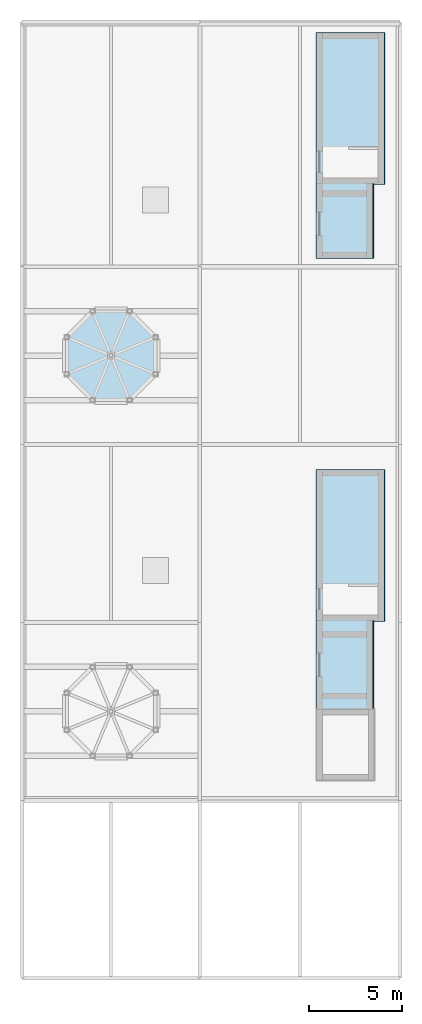
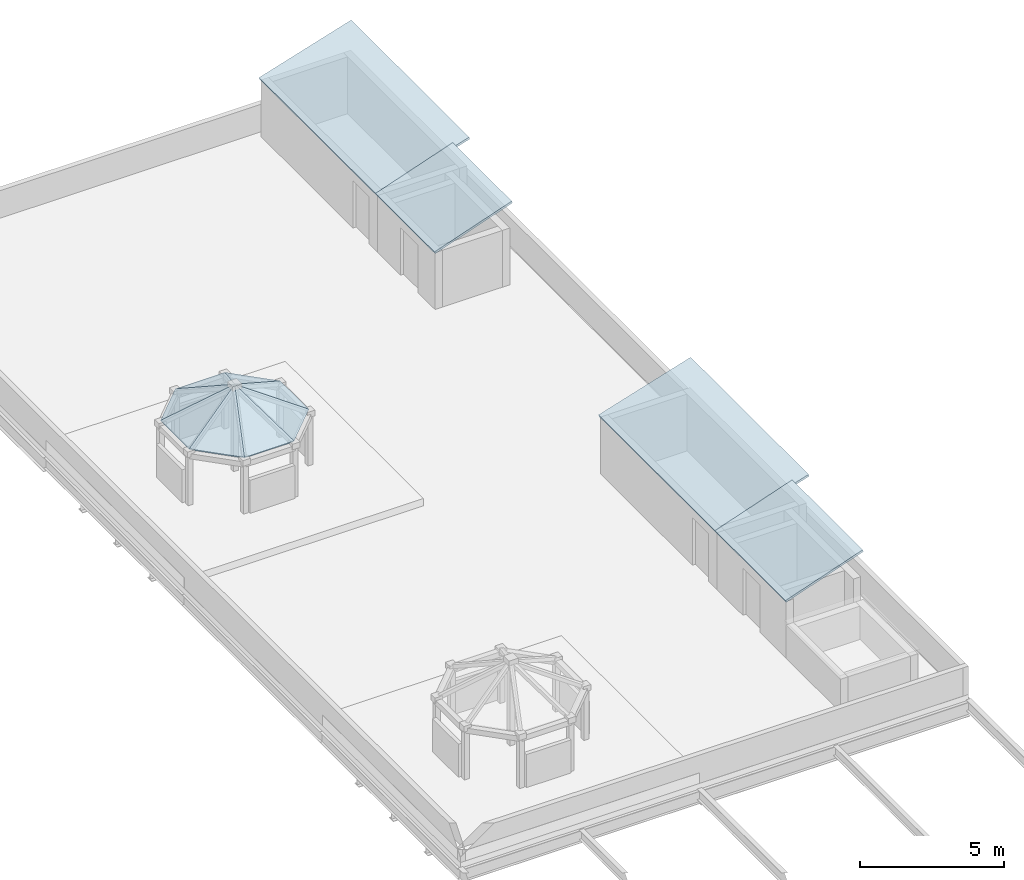
# One storey, part 4 of 5: 12 roofs.
"""IFC4 building model written with IfcOpenShell, lengths in metres."""

from ifc_helpers import new_model, si_unit, direction, frame, origin, place, context, subcontext, project, spatial, polyline, outline, extrude, material, layer, layer_set, type_object, element, save


model = new_model("IFC4")

# Units and contexts
model_context = context("Model", 3, precision=1e-05, world=origin(), true_north=direction((0.0, 1.0)))
body_context = subcontext(model_context, "Body", "Model", "MODEL_VIEW")
ifc_project = project(units=[si_unit("LENGTHUNIT", "METRE"), si_unit("AREAUNIT", "SQUARE_METRE"), si_unit("VOLUMEUNIT", "CUBIC_METRE"), si_unit("PLANEANGLEUNIT", "RADIAN"), si_unit("MASSUNIT", "GRAM", prefix="KILO")], contexts=[model_context])

# Site, building, storey
site_placement = place(None, origin())
site = spatial("IfcSite", under=ifc_project, at=site_placement, CompositionType="ELEMENT")
building_placement = place(site_placement, origin())
building = spatial("IfcBuilding", under=site, at=building_placement, Name="Almandine Court Research Institute", CompositionType="ELEMENT")
storey_placement = place(building_placement, frame((0.0, 0.0, 46.199951171875)))
storey = spatial("IfcBuildingStorey", under=building, at=storey_placement, Name="RF", CompositionType="ELEMENT", Elevation=46.199951171875)

# Roofs
ifc_material_1 = material(Name="Extruded Ochre Terracotta Faceted Lantern Cap", Category="masonry")
ifc_layer_1 = layer(ifc_material_1, 0.074951171875)
ifc_layer_set_1 = layer_set([ifc_layer_1], Name="Extruded Ochre Terracotta Faceted Lantern Cap")
roof_type_1 = type_object("IfcRoofType", Name="Roof-CH-Facet", PredefinedType="PAVILION_ROOF", material=ifc_layer_set_1)
roof_1_placement = place(storey_placement, frame((160.802001953125, 40.594970703125, 2.77001953125), z_axis=(0.336573525288, 0.336573525288, 0.879452400162), x_axis=(-0.707106781187, 0.707106781187, 0.0)))
element("IfcRoof", 1, at=roof_1_placement, inside=storey, type_object=roof_type_1, Name="RF Chhatri 2 Planar Faceted Roof Cap 1", PredefinedType="PAVILION_ROOF", context=body_context, shape_type="SweptSolid", body=[
    extrude(outline(polyline([(0.0, 0.0), (1.9897736230361687, 0.0), (0.995059445009585, 2.731270504575531), (0.0, 0.0)])), origin(), (0.0, 0.0, -1.0), 0.074951171875),
])
roof_2_placement = place(storey_placement, frame((159.39501953125, 42.001953125, 2.77001953125), z_axis=(0.0, 0.476012430179, 0.879438551756), x_axis=(-1.0, 0.0, 0.0)))
element("IfcRoof", 2, at=roof_2_placement, inside=storey, type_object=roof_type_1, Name="RF Chhatri 2 Planar Faceted Roof Cap 2", PredefinedType="PAVILION_ROOF", context=body_context, shape_type="SweptSolid", body=[
    extrude(outline(polyline([(0.0, 0.0), (1.989990234375, 0.0), (0.9951171875, 2.731123696992406), (0.0, 0.0)])), origin(), (0.0, 0.0, -1.0), 0.074951171875),
])
roof_3_placement = place(storey_placement, frame((157.405029296875, 42.001953125, 2.77001953125), z_axis=(-0.336592235264, 0.336592235264, 0.879438078729), x_axis=(-0.707106781187, -0.707106781187, 0.0)))
element("IfcRoof", 3, at=roof_3_placement, inside=storey, type_object=roof_type_1, Name="RF Chhatri 2 Planar Faceted Roof Cap 3", PredefinedType="PAVILION_ROOF", context=body_context, shape_type="SweptSolid", body=[
    extrude(outline(polyline([(0.0, 0.0), (1.9897736230361687, 0.0), (0.9948868115180843, 2.731118682873228), (0.0, 0.0)])), origin(), (0.0, 0.0, -1.0), 0.074951171875),
])
roof_4_placement = place(storey_placement, frame((155.998046875, 40.594970703125, 2.77001953125), z_axis=(-0.476012430179, 0.0, 0.879438551756), x_axis=(0.0, -1.0, 0.0)))
element("IfcRoof", 4, at=roof_4_placement, inside=storey, type_object=roof_type_1, Name="RF Chhatri 2 Planar Faceted Roof Cap 4", PredefinedType="PAVILION_ROOF", context=body_context, shape_type="SweptSolid", body=[
    extrude(outline(polyline([(0.0, 0.0), (1.989990234375, 0.0), (0.994873046875, 2.731123696992406), (0.0, 0.0)])), origin(), (0.0, 0.0, -1.0), 0.074951171875),
])
roof_5_placement = place(storey_placement, frame((155.998046875, 38.60498046875, 2.77001953125), z_axis=(-0.336573525288, -0.336573525288, 0.879452400162), x_axis=(0.707106781187, -0.707106781187, 0.0)))
element("IfcRoof", 5, at=roof_5_placement, inside=storey, type_object=roof_type_1, Name="RF Chhatri 2 Planar Faceted Roof Cap 5", PredefinedType="PAVILION_ROOF", context=body_context, shape_type="SweptSolid", body=[
    extrude(outline(polyline([(0.0, 0.0), (1.9897736230361687, 0.0), (0.9947141780265838, 2.731270504575531), (0.0, 0.0)])), origin(), (0.0, 0.0, -1.0), 0.074951171875),
])
roof_6_placement = place(storey_placement, frame((157.405029296875, 37.197998046875, 2.77001953125), z_axis=(0.0, -0.475975011079, 0.879458804509), x_axis=(1.0, 0.0, 0.0)))
element("IfcRoof", 6, at=roof_6_placement, inside=storey, type_object=roof_type_1, Name="RF Chhatri 2 Planar Faceted Roof Cap 6", PredefinedType="PAVILION_ROOF", context=body_context, shape_type="SweptSolid", body=[
    extrude(outline(polyline([(0.0, 0.0), (1.989990234375, 0.0), (0.994873046875, 2.731338406142438), (0.0, 0.0)])), origin(), (0.0, 0.0, -1.0), 0.074951171875),
])
roof_7_placement = place(storey_placement, frame((159.39501953125, 37.197998046875, 2.77001953125), z_axis=(0.336554817087, -0.336554817087, 0.879466719206), x_axis=(0.707106781187, 0.707106781187, 0.0)))
element("IfcRoof", 7, at=roof_7_placement, inside=storey, type_object=roof_type_1, Name="RF Chhatri 2 Planar Faceted Roof Cap 7", PredefinedType="PAVILION_ROOF", context=body_context, shape_type="SweptSolid", body=[
    extrude(outline(polyline([(0.0, 0.0), (1.9897736230361687, 0.0), (0.9948868115180844, 2.7314223287499875), (0.0, 0.0)])), origin(), (0.0, 0.0, -1.0), 0.074951171875),
])
roof_8_placement = place(storey_placement, frame((160.802001953125, 38.60498046875, 2.77001953125), z_axis=(0.475975011079, 0.0, 0.879458804509), x_axis=(0.0, 1.0, 0.0)))
element("IfcRoof", 8, at=roof_8_placement, inside=storey, type_object=roof_type_1, Name="RF Chhatri 2 Planar Faceted Roof Cap 8", PredefinedType="PAVILION_ROOF", context=body_context, shape_type="SweptSolid", body=[
    extrude(outline(polyline([(0.0, 0.0), (1.989990234375, 0.0), (0.9951171875, 2.731338406142438), (0.0, 0.0)])), origin(), (0.0, 0.0, -1.0), 0.074951171875),
])
ifc_material_2 = material(Name="Insulated Standing-Seam Acoustic Metal Roof Deck")
ifc_layer_2 = layer(ifc_material_2, 0.090087890625)
ifc_layer_set_2 = layer_set([ifc_layer_2], Name="Insulated Standing-Seam Acoustic Metal Roof Deck")
roof_type_2 = type_object("IfcRoofType", Name="Roof-VT-Facet", PredefinedType="PAVILION_ROOF", material=ifc_layer_set_2)
for number, where, z_axis, x_axis, name in (
    (9, (169.449951171875, 25.25, 2.630126953125), (-0.296785667651, 0.0, 0.954944117463), (0.954944117463, 0.0, 0.296785667651), "RF ST-07 Sloped Penthouse Roof Cap"),
    (10, (169.449951171875, 48.85009765625, 2.630126953125), (-0.296785667651, 0.0, 0.954944117463), (0.954944117463, 0.0, 0.296785667651), "RF ST-08 Sloped Penthouse Roof Cap"),
):
    element("IfcRoof", number, at=place(storey_placement, frame(where, z_axis=z_axis, x_axis=x_axis)), inside=storey, type_object=roof_type_2, Name=name, PredefinedType="PAVILION_ROOF", context=body_context, shape_type="SweptSolid", body=[
        extrude(outline(polyline([(0.0, 0.0), (3.8745211413051974, 0.0), (3.8745211413051974, 8.199951171875), (0.0, 8.199951171875), (0.0, 0.0)])), origin(), (0.0, 0.0, -1.0), 0.090087890625),
    ])
roof_9_placement = place(storey_placement, frame((169.449951171875, 20.449951171875, 2.630126953125), z_axis=(-0.326215510531, 0.0, 0.945295425086), x_axis=(0.945295425086, 0.0, 0.326215510531)))
element("IfcRoof", 11, at=roof_9_placement, inside=storey, type_object=roof_type_2, Name="RF FL-01 Sloped Lift Overrun Roof Cap", PredefinedType="PAVILION_ROOF", context=body_context, shape_type="SweptSolid", body=[
    extrude(outline(polyline([(0.0, 0.0), (3.279501385471699, 0.0), (3.279501385471699, 4.900146484375), (0.0, 4.900146484375), (0.0, 0.0)])), origin(), (0.0, 0.0, -1.0), 0.090087890625),
])
roof_10_placement = place(storey_placement, frame((169.449951171875, 44.85009765625, 2.630126953125), z_axis=(-0.326215510531, 0.0, 0.945295425086), x_axis=(0.945295425086, 0.0, 0.326215510531)))
element("IfcRoof", 12, at=roof_10_placement, inside=storey, type_object=roof_type_2, Name="RF FL-02 Sloped Lift Overrun Roof Cap", PredefinedType="PAVILION_ROOF", context=body_context, shape_type="SweptSolid", body=[
    extrude(outline(polyline([(0.0, 0.0), (3.279501385471699, 0.0), (3.279501385471699, 4.099853515625), (0.0, 4.099853515625), (0.0, 0.0)])), origin(), (0.0, 0.0, -1.0), 0.090087890625),
])

save(model, "model.ifc")
